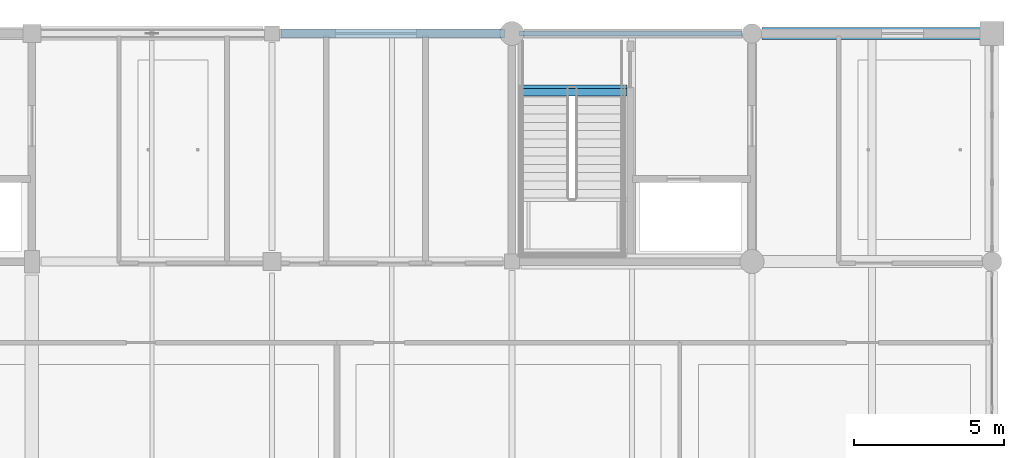
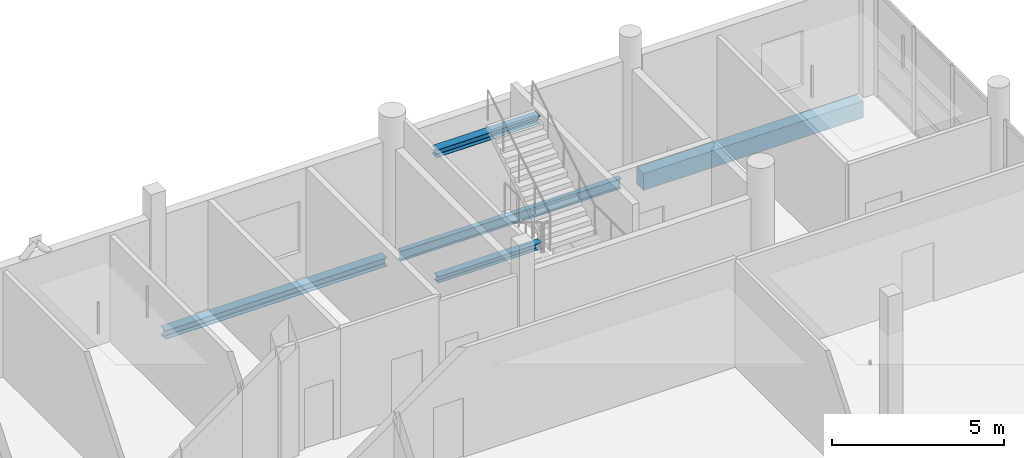
# One storey, part 22 of 46: 5 beams.
"""IFC4 building model written with IfcOpenShell, lengths in metres."""

from ifc_helpers import new_model, si_unit, direction, frame, origin, origin_2d, place, context, subcontext, project, spatial, rectangle, i_section, extrude, material, material_profile, profile_set, type_object, element, save


model = new_model("IFC4")

# Units and contexts
model_context = context("Model", 3, precision=1e-05, world=origin(), true_north=direction((0.0, 1.0)))
body_context = subcontext(model_context, "Body", "Model", "MODEL_VIEW")
ifc_project = project(units=[si_unit("LENGTHUNIT", "METRE"), si_unit("AREAUNIT", "SQUARE_METRE"), si_unit("VOLUMEUNIT", "CUBIC_METRE"), si_unit("PLANEANGLEUNIT", "RADIAN"), si_unit("MASSUNIT", "GRAM", prefix="KILO")], contexts=[model_context])

# Site, building, storey
site_placement = place(None, origin())
site = spatial("IfcSite", under=ifc_project, at=site_placement, CompositionType="ELEMENT")
building_placement = place(site_placement, origin())
building = spatial("IfcBuilding", under=site, at=building_placement, Name="Khelvaren Railside Concert Hall", CompositionType="ELEMENT")
storey_placement = place(building_placement, frame((0.0, 0.0, 19.800048828125)))
storey = spatial("IfcBuildingStorey", under=building, at=storey_placement, Name="L04", CompositionType="ELEMENT", Elevation=19.800048828125)

# Beams
ifc_material_1 = material(Name="Steel S355", Category="steel")
ifc_material_profile_1 = material_profile(ifc_material_1, i_section(OverallWidth=0.239990234375, OverallDepth=0.22998046875, WebThickness=0.007568359375, FlangeThickness=0.011962890625, FilletRadius=0.02099609375, at=origin_2d()), Name="HEA 240")
ifc_profile_set_1 = profile_set([ifc_material_profile_1], Name="Steel S355")
beam_type_1 = type_object("IfcBeamType", Name="BM42", PredefinedType="BEAM", material=ifc_profile_set_1)
beam_1_placement = place(storey_placement, frame((168.344970703125, 112.039306640625, -0.114990234375), z_axis=(1.0, 0.0, 0.0), x_axis=(0.0, 1.0, 0.0)))
element("IfcBeam", 1, at=beam_1_placement, inside=storey, type_object=beam_type_1, Name="ST-10 L04 Stair Foot Trimmer Beam", PredefinedType="BEAM", context=body_context, shape_type="SweptSolid", body=[
    extrude(i_section(OverallWidth=0.239990234375, OverallDepth=0.22998046875, WebThickness=0.007568359375, FlangeThickness=0.011962890625, FilletRadius=0.02099609375, at=origin_2d()), origin(), (0.0, 0.0, 1.0), 3.4951171875),
])
ifc_material_profile_2 = material_profile(ifc_material_1, i_section(OverallWidth=0.280029296875, OverallDepth=0.27001953125, WebThickness=0.008056640625, FlangeThickness=0.012939453125, FilletRadius=0.02392578125, at=origin_2d()), Name="HEA 280")
ifc_profile_set_2 = profile_set([ifc_material_profile_2], Name="Steel S355")
beam_type_2 = type_object("IfcBeamType", Name="BM93", PredefinedType="BEAM", material=ifc_profile_set_2)
beam_2_placement = place(storey_placement, frame((168.344970703125, 112.139892578125, 4.317626953125), z_axis=(1.0, 0.0, 0.0), x_axis=(0.0, 1.0, 0.0)))
element("IfcBeam", 2, at=beam_2_placement, inside=storey, type_object=beam_type_2, Name="ST-10 L04 Stair Top Arrival Trimmer Beam", PredefinedType="BEAM", context=body_context, shape_type="SweptSolid", body=[
    extrude(i_section(OverallWidth=0.280029296875, OverallDepth=0.27001953125, WebThickness=0.008056640625, FlangeThickness=0.012939453125, FilletRadius=0.02392578125, at=origin_2d()), origin(), (0.0, 0.0, 1.0), 3.4951171875),
])
ifc_material_profile_3 = material_profile(ifc_material_1, i_section(OverallWidth=0.300048828125, OverallDepth=0.31005859375, WebThickness=0.009033203125, FlangeThickness=0.015380859375, FilletRadius=0.027099609375, at=origin_2d()), Name="HEA 320")
ifc_profile_set_3 = profile_set([ifc_material_profile_3], Name="Steel S355")
beam_type_3 = type_object("IfcBeamType", Name="SP66", PredefinedType="SPANDREL", material=ifc_profile_set_3)
beam_3_placement = place(storey_placement, frame((160.300048828125, 114.0, -0.425048828125), z_axis=(1.0, 0.0, 0.0), x_axis=(0.0, 1.0, 0.0)))
element("IfcBeam", 3, at=beam_3_placement, inside=storey, type_object=beam_type_3, Name="V5 L04 Spandrel X5.5", PredefinedType="SPANDREL", context=body_context, shape_type="SweptSolid", body=[
    extrude(i_section(OverallWidth=0.300048828125, OverallDepth=0.31005859375, WebThickness=0.009033203125, FlangeThickness=0.015380859375, FilletRadius=0.027099609375, at=origin_2d()), origin(), (0.0, 0.0, 1.0), 7.449951171875),
])
ifc_material_profile_4 = material_profile(ifc_material_1, i_section(OverallWidth=0.169921875, OverallDepth=0.360107421875, WebThickness=0.008056640625, FlangeThickness=0.0126953125, FilletRadius=0.01806640625, at=origin_2d()), Name="IPE 360")
ifc_profile_set_4 = profile_set([ifc_material_profile_4], Name="Steel S355")
beam_type_4 = type_object("IfcBeamType", Name="SP74", PredefinedType="SPANDREL", material=ifc_profile_set_4)
beam_4_placement = place(storey_placement, frame((168.25, 114.0, -0.449951171875), z_axis=(1.0, 0.0, 0.0), x_axis=(0.0, 1.0, 0.0)))
element("IfcBeam", 4, at=beam_4_placement, inside=storey, type_object=beam_type_4, Name="V5 L04 Spandrel X5.6", PredefinedType="SPANDREL", context=body_context, shape_type="SweptSolid", body=[
    extrude(i_section(OverallWidth=0.169921875, OverallDepth=0.360107421875, WebThickness=0.008056640625, FlangeThickness=0.0126953125, FilletRadius=0.01806640625, at=origin_2d()), origin(), (0.0, 0.0, 1.0), 7.4140625),
])
ifc_material_2 = material(Name="Concrete C40/50", Category="concrete")
ifc_material_profile_5 = material_profile(ifc_material_2, rectangle(XDim=0.39990234375, YDim=0.60009765625, at=origin_2d()), Name="RCB 400x600")
ifc_profile_set_5 = profile_set([ifc_material_profile_5], Name="Concrete C40/50")
beam_type_5 = type_object("IfcBeamType", Name="SP75", PredefinedType="SPANDREL", material=ifc_profile_set_5)
beam_5_placement = place(storey_placement, frame((176.3359375, 114.0, -0.570068359375), z_axis=(1.0, 0.0, 0.0), x_axis=(0.0, 1.0, 0.0)))
element("IfcBeam", 5, at=beam_5_placement, inside=storey, type_object=beam_type_5, Name="V5 L04 Spandrel X5.7", PredefinedType="SPANDREL", context=body_context, shape_type="SweptSolid", body=[
    extrude(rectangle(XDim=0.39990234375, YDim=0.60009765625, at=origin_2d()), origin(), (0.0, 0.0, 1.0), 7.39111328125),
])

save(model, "model.ifc")
